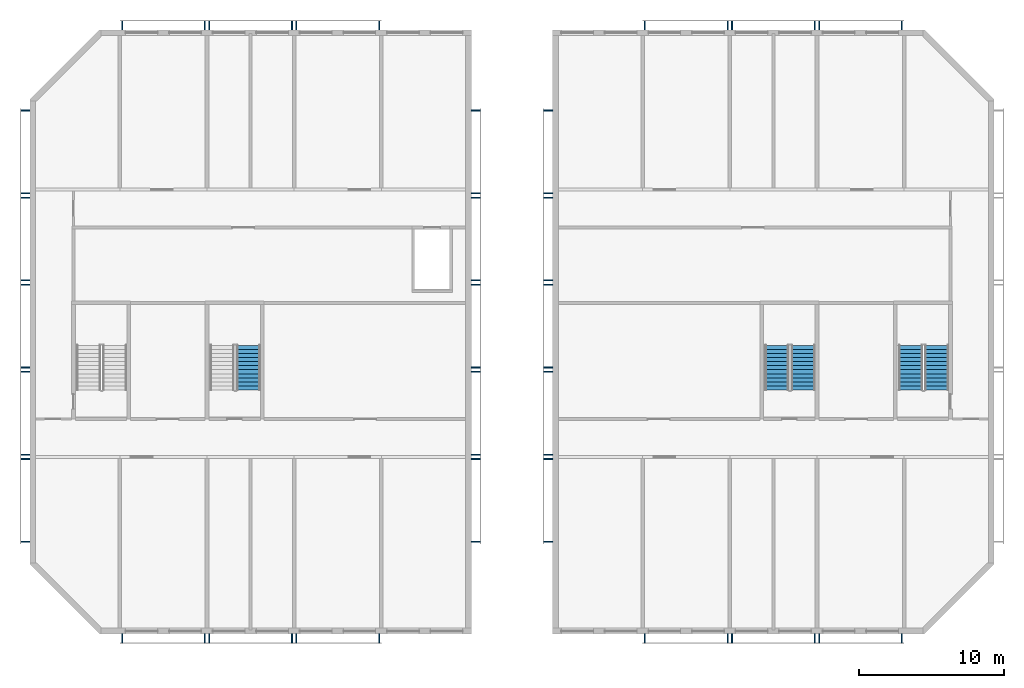
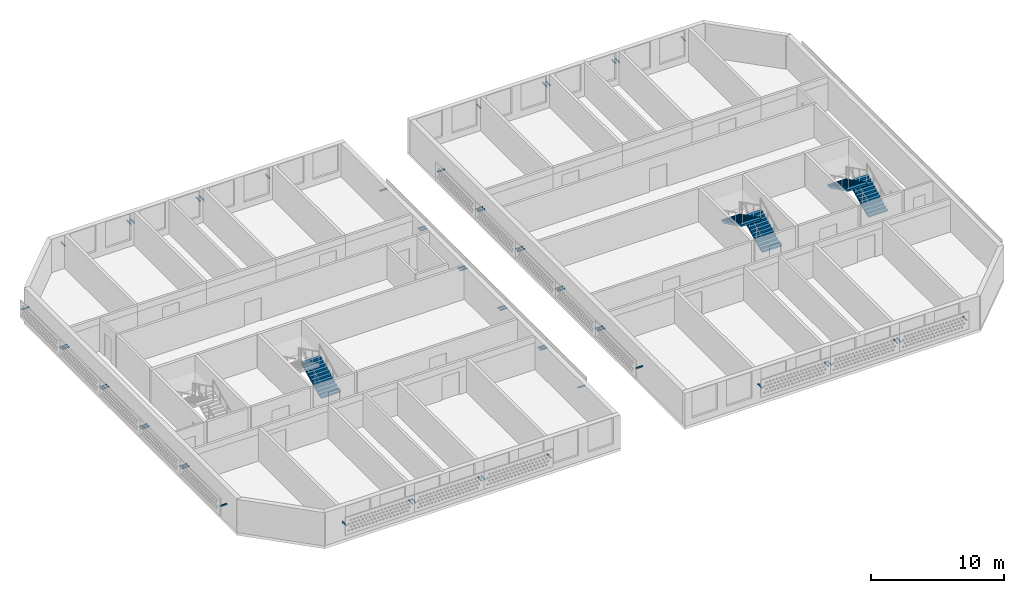
# One storey, part 5 of 18: 54 discrete accessories, 5 stair flights, 3 elements without a shape of their own.
"""IFC4 building model written with IfcOpenShell, lengths in metres."""

from ifc_helpers import new_model, si_unit, direction, frame, origin, origin_2d, place, context, subcontext, project, spatial, polyline, rectangle, outline, extrude, source, transform, mapped, material, layer, layer_set, material_profile, profile_set, type_object, element, aggregate, save


model = new_model("IFC4")

# Units and contexts
model_context = context("Model", 3, precision=1e-05, world=origin(), true_north=direction((0.0, 1.0)))
body_context = subcontext(model_context, "Body", "Model", "MODEL_VIEW")
ifc_project = project(units=[si_unit("LENGTHUNIT", "METRE"), si_unit("AREAUNIT", "SQUARE_METRE"), si_unit("VOLUMEUNIT", "CUBIC_METRE"), si_unit("PLANEANGLEUNIT", "RADIAN"), si_unit("MASSUNIT", "GRAM", prefix="KILO")], contexts=[model_context])

# Site, building, storey
site_placement = place(None, origin())
site = spatial("IfcSite", under=ifc_project, at=site_placement, CompositionType="ELEMENT")
building_placement = place(site_placement, origin())
building = spatial("IfcBuilding", under=site, at=building_placement, Name="Poui Terraces", CompositionType="ELEMENT")
storey_placement = place(building_placement, frame((0.0, 0.0, 275.699951171875)))
storey = spatial("IfcBuildingStorey", under=building, at=storey_placement, Name="L76 CROWN", CompositionType="ELEMENT", Elevation=275.699951171875)

# Stair, stair flights
ifc_material_1 = material(Name="Concrete 50 MPa", Category="concrete")
stair_type = type_object("IfcStairType", Name="EXIT STAIR 1650 50 MPA", PredefinedType="HALF_TURN_STAIR", material=ifc_material_1)
stair_1_placement = place(storey_placement, origin())
stair_1 = element("IfcStair", 1, at=stair_1_placement, inside=storey, type_object=stair_type, Name="L76 CROWN CORE STAIR EAST", PredefinedType="HALF_TURN_STAIR")
ifc_layer = layer(ifc_material_1, 0.14990234375)
ifc_layer_set = layer_set([ifc_layer], Name="Concrete 50 MPa")
stair_flight_type = type_object("IfcStairFlightType", Name="STAIR FLIGHT 12 RISERS 138 RISE 50 MPA", PredefinedType="STRAIGHT", material=ifc_layer_set)
stair_flight_1_placement = place(storey_placement, frame((71.050048828125, 16.60009765625, 0.0), z_axis=(0.0, 0.0, 1.0), x_axis=(0.0, 1.0, 0.0)))
stair_flight_1 = element("IfcStairFlight", 2, at=stair_flight_1_placement, type_object=stair_flight_type, Name="ST-CE flight 1", NumberOfRisers=12, NumberOfTreads=11, PredefinedType="STRAIGHT", RiserHeight=0.1375, TreadLength=0.28, context=body_context, shape_type="SweptSolid", body=[
    extrude(outline(polyline([(0.0, 0.0), (0.0, 0.137451171875), (0.280029296875, 0.137451171875), (0.280029296875, 0.27490234375), (0.56005859375, 0.27490234375), (0.56005859375, 0.41259765625), (0.840087890625, 0.41259765625), (0.840087890625, 0.550048828125), (1.1201171875, 0.550048828125), (1.1201171875, 0.6875), (1.39990234375, 0.6875), (1.39990234375, 0.824951171875), (1.679931640625, 0.824951171875), (1.679931640625, 0.96240234375), (1.9599609375, 0.96240234375), (1.9599609375, 1.10009765625), (2.239990234375, 1.10009765625), (2.239990234375, 1.237548828125), (2.52001953125, 1.237548828125), (2.52001953125, 1.375), (2.800048828125, 1.375), (2.800048828125, 1.512451171875), (3.080078125, 1.512451171875), (3.080078125, 1.64990234375), (3.080078125, 1.345458984375), (0.340087890625, 0.0), (0.0, 0.0)])), frame((0.0, 0.824951171875, 0.0), z_axis=(0.0, -1.0, 0.0), x_axis=(1.0, 0.0, 0.0)), (0.0, 0.0, 1.0), 1.64990234375),
])
stair_flight_2_placement = place(storey_placement, frame((69.25, 19.679931640625, 1.650146484375), z_axis=(0.0, 0.0, 1.0), x_axis=(0.0, -1.0, 0.0)))
stair_flight_2 = element("IfcStairFlight", 3, at=stair_flight_2_placement, type_object=stair_flight_type, Name="ST-CE flight 2", NumberOfRisers=12, NumberOfTreads=11, PredefinedType="STRAIGHT", RiserHeight=0.1375, TreadLength=0.28, context=body_context, shape_type="SweptSolid", body=[
    extrude(outline(polyline([(0.0, 0.0), (0.0, 0.137451171875), (0.280029296875, 0.137451171875), (0.280029296875, 0.27490234375), (0.56005859375, 0.27490234375), (0.56005859375, 0.41259765625), (0.840087890625, 0.41259765625), (0.840087890625, 0.550048828125), (1.1201171875, 0.550048828125), (1.1201171875, 0.6875), (1.39990234375, 0.6875), (1.39990234375, 0.824951171875), (1.679931640625, 0.824951171875), (1.679931640625, 0.96240234375), (1.9599609375, 0.96240234375), (1.9599609375, 1.10009765625), (2.239990234375, 1.10009765625), (2.239990234375, 1.237548828125), (2.52001953125, 1.237548828125), (2.52001953125, 1.375), (2.800048828125, 1.375), (2.800048828125, 1.512451171875), (3.080078125, 1.512451171875), (3.080078125, 1.64990234375), (3.080078125, 1.345458984375), (0.340087890625, 0.0), (0.0, 0.0)])), frame((0.0, 0.824951171875, 0.0), z_axis=(0.0, -1.0, 0.0), x_axis=(1.0, 0.0, 0.0)), (0.0, 0.0, 1.0), 1.64990234375),
])
aggregate(stair_1, [stair_flight_1, stair_flight_2])

# Stair, stair flight
stair_2_placement = place(storey_placement, origin())
stair_2 = element("IfcStair", 4, at=stair_2_placement, inside=storey, type_object=stair_type, Name="L76 CROWN CORE STAIR WEST", PredefinedType="HALF_TURN_STAIR")
stair_flight_3_placement = place(storey_placement, frame((32.85009765625, 16.60009765625, 0.0), z_axis=(0.0, 0.0, 1.0), x_axis=(0.0, 1.0, 0.0)))
stair_flight_3 = element("IfcStairFlight", 5, at=stair_flight_3_placement, type_object=stair_flight_type, Name="ST-CW flight 1", NumberOfRisers=12, NumberOfTreads=11, PredefinedType="STRAIGHT", RiserHeight=0.1375, TreadLength=0.28, context=body_context, shape_type="SweptSolid", body=[
    extrude(outline(polyline([(0.0, 0.0), (0.0, 0.137451171875), (0.280029296875, 0.137451171875), (0.280029296875, 0.27490234375), (0.56005859375, 0.27490234375), (0.56005859375, 0.41259765625), (0.840087890625, 0.41259765625), (0.840087890625, 0.550048828125), (1.1201171875, 0.550048828125), (1.1201171875, 0.6875), (1.39990234375, 0.6875), (1.39990234375, 0.824951171875), (1.679931640625, 0.824951171875), (1.679931640625, 0.96240234375), (1.9599609375, 0.96240234375), (1.9599609375, 1.10009765625), (2.239990234375, 1.10009765625), (2.239990234375, 1.237548828125), (2.52001953125, 1.237548828125), (2.52001953125, 1.375), (2.800048828125, 1.375), (2.800048828125, 1.512451171875), (3.080078125, 1.512451171875), (3.080078125, 1.64990234375), (3.080078125, 1.345458984375), (0.340087890625, 0.0), (0.0, 0.0)])), frame((0.0, 0.824951171875, 0.0), z_axis=(0.0, -1.0, 0.0), x_axis=(1.0, 0.0, 0.0)), (0.0, 0.0, 1.0), 1.64990234375),
])
aggregate(stair_2, [stair_flight_3])

# Stair, stair flights
stair_3_placement = place(storey_placement, origin())
stair_3 = element("IfcStair", 6, at=stair_3_placement, inside=storey, type_object=stair_type, Name="L76 CROWN TIP STAIR EAST", PredefinedType="HALF_TURN_STAIR")
stair_flight_4_placement = place(storey_placement, frame((80.25, 16.60009765625, 0.0), z_axis=(0.0, 0.0, 1.0), x_axis=(0.0, 1.0, 0.0)))
stair_flight_4 = element("IfcStairFlight", 7, at=stair_flight_4_placement, type_object=stair_flight_type, Name="ST-E flight 1", NumberOfRisers=12, NumberOfTreads=11, PredefinedType="STRAIGHT", RiserHeight=0.1375, TreadLength=0.28, context=body_context, shape_type="SweptSolid", body=[
    extrude(outline(polyline([(0.0, 0.0), (0.0, 0.137451171875), (0.280029296875, 0.137451171875), (0.280029296875, 0.27490234375), (0.56005859375, 0.27490234375), (0.56005859375, 0.41259765625), (0.840087890625, 0.41259765625), (0.840087890625, 0.550048828125), (1.1201171875, 0.550048828125), (1.1201171875, 0.6875), (1.39990234375, 0.6875), (1.39990234375, 0.824951171875), (1.679931640625, 0.824951171875), (1.679931640625, 0.96240234375), (1.9599609375, 0.96240234375), (1.9599609375, 1.10009765625), (2.239990234375, 1.10009765625), (2.239990234375, 1.237548828125), (2.52001953125, 1.237548828125), (2.52001953125, 1.375), (2.800048828125, 1.375), (2.800048828125, 1.512451171875), (3.080078125, 1.512451171875), (3.080078125, 1.64990234375), (3.080078125, 1.345458984375), (0.340087890625, 0.0), (0.0, 0.0)])), frame((0.0, 0.824951171875, 0.0), z_axis=(0.0, -1.0, 0.0), x_axis=(1.0, 0.0, 0.0)), (0.0, 0.0, 1.0), 1.64990234375),
])
stair_flight_5_placement = place(storey_placement, frame((78.449951171875, 19.679931640625, 1.650146484375), z_axis=(0.0, 0.0, 1.0), x_axis=(0.0, -1.0, 0.0)))
stair_flight_5 = element("IfcStairFlight", 8, at=stair_flight_5_placement, type_object=stair_flight_type, Name="ST-E flight 2", NumberOfRisers=12, NumberOfTreads=11, PredefinedType="STRAIGHT", RiserHeight=0.1375, TreadLength=0.28, context=body_context, shape_type="SweptSolid", body=[
    extrude(outline(polyline([(0.0, 0.0), (0.0, 0.137451171875), (0.280029296875, 0.137451171875), (0.280029296875, 0.27490234375), (0.56005859375, 0.27490234375), (0.56005859375, 0.41259765625), (0.840087890625, 0.41259765625), (0.840087890625, 0.550048828125), (1.1201171875, 0.550048828125), (1.1201171875, 0.6875), (1.39990234375, 0.6875), (1.39990234375, 0.824951171875), (1.679931640625, 0.824951171875), (1.679931640625, 0.96240234375), (1.9599609375, 0.96240234375), (1.9599609375, 1.10009765625), (2.239990234375, 1.10009765625), (2.239990234375, 1.237548828125), (2.52001953125, 1.237548828125), (2.52001953125, 1.375), (2.800048828125, 1.375), (2.800048828125, 1.512451171875), (3.080078125, 1.512451171875), (3.080078125, 1.64990234375), (3.080078125, 1.345458984375), (0.340087890625, 0.0), (0.0, 0.0)])), frame((0.0, 0.824951171875, 0.0), z_axis=(0.0, -1.0, 0.0), x_axis=(1.0, 0.0, 0.0)), (0.0, 0.0, 1.0), 1.64990234375),
])
aggregate(stair_3, [stair_flight_4, stair_flight_5])

# Discrete accessories
ifc_material_2 = material(Name="Galvanised steel", Category="steel")
ifc_material_profile = material_profile(ifc_material_2, rectangle(XDim=0.080078125, YDim=0.080078125, at=origin_2d()), Name="SCREEN BRACKET 80")
ifc_profile_set = profile_set([ifc_material_profile], Name="Galvanised steel")
discrete_accessory_type = type_object("IfcDiscreteAccessoryType", Name="SCREEN BRACKET 80", PredefinedType="BRACKET", material=ifc_profile_set)
shared_shape = source(origin(), body_context, "Body", "SweptSolid", [
    extrude(rectangle(XDim=0.080078125, YDim=0.080078125, at=origin_2d()), origin(), (0.0, 0.0, 1.0), 0.60009765625),
])
for number, where, z_axis, x_axis, name in (
    (9, (24.14990234375, -0.199951171875, 1.699951171875), (0.0, -1.0, 0.0), (1.0, 0.0, 0.0), "SCREEN BRACKET"),
    (10, (29.85009765625, -0.199951171875, 1.699951171875), (0.0, -1.0, 0.0), (1.0, 0.0, 0.0), "SCREEN BRACKET"),
    (11, (30.14990234375, -0.199951171875, 1.699951171875), (0.0, -1.0, 0.0), (1.0, 0.0, 0.0), "SCREEN BRACKET"),
    (12, (35.85009765625, -0.199951171875, 1.699951171875), (0.0, -1.0, 0.0), (1.0, 0.0, 0.0), "SCREEN BRACKET"),
    (13, (36.14990234375, -0.199951171875, 1.699951171875), (0.0, -1.0, 0.0), (1.0, 0.0, 0.0), "SCREEN BRACKET"),
    (14, (41.85009765625, -0.199951171875, 1.699951171875), (0.0, -1.0, 0.0), (1.0, 0.0, 0.0), "SCREEN BRACKET"),
    (15, (48.199951171875, 6.14990234375, 1.699951171875), (1.0, 0.0, 0.0), (0.0, 1.0, 0.0), "SCREEN BRACKET"),
    (16, (48.199951171875, 11.85009765625, 1.699951171875), (1.0, 0.0, 0.0), (0.0, 1.0, 0.0), "SCREEN BRACKET"),
    (17, (48.199951171875, 12.14990234375, 1.699951171875), (1.0, 0.0, 0.0), (0.0, 1.0, 0.0), "SCREEN BRACKET"),
    (18, (48.199951171875, 17.85009765625, 1.699951171875), (1.0, 0.0, 0.0), (0.0, 1.0, 0.0), "SCREEN BRACKET"),
    (19, (48.199951171875, 18.14990234375, 1.699951171875), (1.0, 0.0, 0.0), (0.0, 1.0, 0.0), "SCREEN BRACKET"),
    (20, (48.199951171875, 23.85009765625, 1.699951171875), (1.0, 0.0, 0.0), (0.0, 1.0, 0.0), "SCREEN BRACKET"),
    (21, (48.199951171875, 24.14990234375, 1.699951171875), (1.0, 0.0, 0.0), (0.0, 1.0, 0.0), "SCREEN BRACKET"),
    (22, (48.199951171875, 29.85009765625, 1.699951171875), (1.0, 0.0, 0.0), (0.0, 1.0, 0.0), "SCREEN BRACKET"),
    (23, (48.199951171875, 30.14990234375, 1.699951171875), (1.0, 0.0, 0.0), (0.0, 1.0, 0.0), "SCREEN BRACKET"),
    (24, (48.199951171875, 35.85009765625, 1.699951171875), (1.0, 0.0, 0.0), (0.0, 1.0, 0.0), "SCREEN BRACKET"),
    (25, (29.85009765625, 41.39990234375, 1.699951171875), (0.0, 1.0, 0.0), (-1.0, 0.0, 0.0), "SCREEN BRACKET"),
    (26, (24.14990234375, 41.39990234375, 1.699951171875), (0.0, 1.0, 0.0), (-1.0, 0.0, 0.0), "SCREEN BRACKET"),
    (27, (35.85009765625, 41.39990234375, 1.699951171875), (0.0, 1.0, 0.0), (-1.0, 0.0, 0.0), "SCREEN BRACKET"),
    (28, (30.14990234375, 41.39990234375, 1.699951171875), (0.0, 1.0, 0.0), (-1.0, 0.0, 0.0), "SCREEN BRACKET"),
    (29, (41.85009765625, 41.39990234375, 1.699951171875), (0.0, 1.0, 0.0), (-1.0, 0.0, 0.0), "SCREEN BRACKET"),
    (30, (36.14990234375, 41.39990234375, 1.699951171875), (0.0, 1.0, 0.0), (-1.0, 0.0, 0.0), "SCREEN BRACKET"),
    (31, (17.800048828125, 11.85009765625, 1.699951171875), (-1.0, 0.0, 0.0), (0.0, -1.0, 0.0), "SCREEN BRACKET"),
    (32, (17.800048828125, 6.14990234375, 1.699951171875), (-1.0, 0.0, 0.0), (0.0, -1.0, 0.0), "SCREEN BRACKET"),
    (33, (17.800048828125, 17.85009765625, 1.699951171875), (-1.0, 0.0, 0.0), (0.0, -1.0, 0.0), "SCREEN BRACKET"),
    (34, (17.800048828125, 12.14990234375, 1.699951171875), (-1.0, 0.0, 0.0), (0.0, -1.0, 0.0), "SCREEN BRACKET"),
    (35, (17.800048828125, 23.85009765625, 1.699951171875), (-1.0, 0.0, 0.0), (0.0, -1.0, 0.0), "SCREEN BRACKET"),
    (36, (17.800048828125, 18.14990234375, 1.699951171875), (-1.0, 0.0, 0.0), (0.0, -1.0, 0.0), "SCREEN BRACKET"),
    (37, (17.800048828125, 29.85009765625, 1.699951171875), (-1.0, 0.0, 0.0), (0.0, -1.0, 0.0), "SCREEN BRACKET"),
    (38, (17.800048828125, 24.14990234375, 1.699951171875), (-1.0, 0.0, 0.0), (0.0, -1.0, 0.0), "SCREEN BRACKET"),
    (39, (17.800048828125, 35.85009765625, 1.699951171875), (-1.0, 0.0, 0.0), (0.0, -1.0, 0.0), "SCREEN BRACKET"),
    (40, (17.800048828125, 30.14990234375, 1.699951171875), (-1.0, 0.0, 0.0), (0.0, -1.0, 0.0), "SCREEN BRACKET"),
    (41, (60.14990234375, -0.199951171875, 1.699951171875), (0.0, -1.0, 0.0), (1.0, 0.0, 0.0), "SCREEN BRACKET"),
    (42, (65.85009765625, -0.199951171875, 1.699951171875), (0.0, -1.0, 0.0), (1.0, 0.0, 0.0), "SCREEN BRACKET"),
    (43, (66.14990234375, -0.199951171875, 1.699951171875), (0.0, -1.0, 0.0), (1.0, 0.0, 0.0), "SCREEN BRACKET"),
    (44, (71.85009765625, -0.199951171875, 1.699951171875), (0.0, -1.0, 0.0), (1.0, 0.0, 0.0), "SCREEN BRACKET"),
    (45, (72.14990234375, -0.199951171875, 1.699951171875), (0.0, -1.0, 0.0), (1.0, 0.0, 0.0), "SCREEN BRACKET"),
    (46, (77.85009765625, -0.199951171875, 1.699951171875), (0.0, -1.0, 0.0), (1.0, 0.0, 0.0), "SCREEN BRACKET"),
    (47, (65.85009765625, 41.39990234375, 1.699951171875), (0.0, 1.0, 0.0), (-1.0, 0.0, 0.0), "SCREEN BRACKET"),
    (48, (60.14990234375, 41.39990234375, 1.699951171875), (0.0, 1.0, 0.0), (-1.0, 0.0, 0.0), "SCREEN BRACKET"),
    (49, (71.85009765625, 41.39990234375, 1.699951171875), (0.0, 1.0, 0.0), (-1.0, 0.0, 0.0), "SCREEN BRACKET"),
    (50, (66.14990234375, 41.39990234375, 1.699951171875), (0.0, 1.0, 0.0), (-1.0, 0.0, 0.0), "SCREEN BRACKET"),
    (51, (77.85009765625, 41.39990234375, 1.699951171875), (0.0, 1.0, 0.0), (-1.0, 0.0, 0.0), "SCREEN BRACKET"),
    (52, (72.14990234375, 41.39990234375, 1.699951171875), (0.0, 1.0, 0.0), (-1.0, 0.0, 0.0), "SCREEN BRACKET"),
    (53, (53.800048828125, 11.85009765625, 1.699951171875), (-1.0, 0.0, 0.0), (0.0, -1.0, 0.0), "SCREEN BRACKET"),
    (54, (53.800048828125, 6.14990234375, 1.699951171875), (-1.0, 0.0, 0.0), (0.0, -1.0, 0.0), "SCREEN BRACKET"),
    (55, (53.800048828125, 17.85009765625, 1.699951171875), (-1.0, 0.0, 0.0), (0.0, -1.0, 0.0), "SCREEN BRACKET"),
    (56, (53.800048828125, 12.14990234375, 1.699951171875), (-1.0, 0.0, 0.0), (0.0, -1.0, 0.0), "SCREEN BRACKET"),
    (57, (53.800048828125, 23.85009765625, 1.699951171875), (-1.0, 0.0, 0.0), (0.0, -1.0, 0.0), "SCREEN BRACKET"),
    (58, (53.800048828125, 18.14990234375, 1.699951171875), (-1.0, 0.0, 0.0), (0.0, -1.0, 0.0), "SCREEN BRACKET"),
    (59, (53.800048828125, 29.85009765625, 1.699951171875), (-1.0, 0.0, 0.0), (0.0, -1.0, 0.0), "SCREEN BRACKET"),
    (60, (53.800048828125, 24.14990234375, 1.699951171875), (-1.0, 0.0, 0.0), (0.0, -1.0, 0.0), "SCREEN BRACKET"),
    (61, (53.800048828125, 35.85009765625, 1.699951171875), (-1.0, 0.0, 0.0), (0.0, -1.0, 0.0), "SCREEN BRACKET"),
    (62, (53.800048828125, 30.14990234375, 1.699951171875), (-1.0, 0.0, 0.0), (0.0, -1.0, 0.0), "SCREEN BRACKET"),
):
    element("IfcDiscreteAccessory", number, at=place(storey_placement, frame(where, z_axis=z_axis, x_axis=x_axis)), inside=storey, type_object=discrete_accessory_type, Name=name, PredefinedType="BRACKET", context=body_context, shape_type="MappedRepresentation", body=[
        mapped(shared_shape, transform((0.0, 0.0, 0.0))),
    ])

save(model, "model.ifc")
